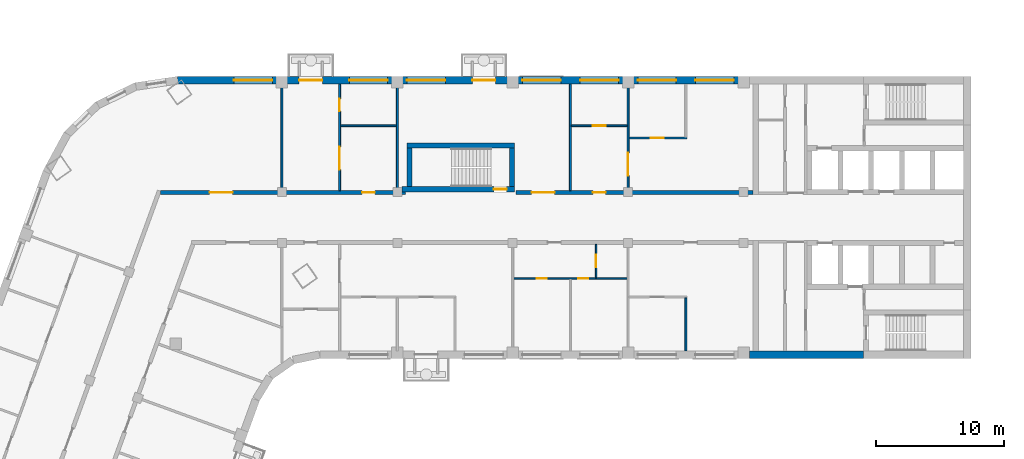
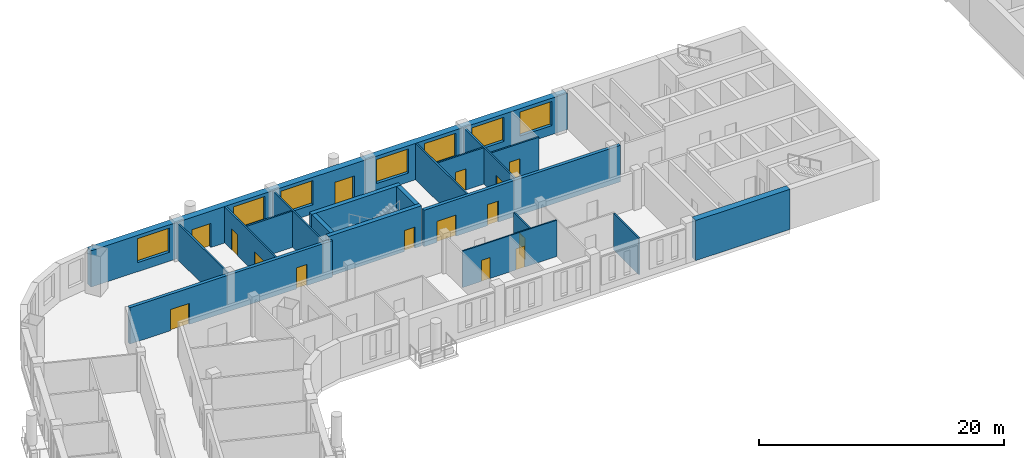
# One storey, part 5 of 16: 19 walls, 15 doors, 7 windows, 22 openings.
"""IFC4 building model written with IfcOpenShell, lengths in metres."""

import ifcopenshell
import ifcopenshell.guid

model = None  # the IFC model being written
_history = None  # IfcOwnerHistory: only IFC2X3 demands one
_inside = {}  # id of a spatial element -> (the spatial element, [elements in it])
_under = {}  # id of a project, library or spatial element -> (it, [spatial elements below it])
_declared = {}  # id of a project -> (the project, [libraries it declares])
_typed = {}  # id of a type object -> (the type object, [elements of that type])
_made_of = {}  # id of a material, layer set ... -> (it, [elements and type objects made of it])


def new_model(schema):
    """Start an empty IFC model of exactly this schema.

    Asked for "IFC4X3", IfcOpenShell would pick the latest addendum, in which some entities
    have other attributes; the version numbers below select the first issue.
    IFC2X3 requires an IfcOwnerHistory on every rooted entity: one is made here for all.
    """
    global model, _history
    if schema == "IFC4X3":
        model = ifcopenshell.file(schema_version=(4, 3, 0, 0))
    else:
        model = ifcopenshell.file(schema=schema)
    _inside.clear()
    _under.clear()
    _declared.clear()
    _typed.clear()
    _made_of.clear()
    _history = None
    if model.schema == "IFC2X3":
        org = make("IfcOrganization", Name="unknown")
        user = make(
            "IfcPersonAndOrganization",
            ThePerson=make("IfcPerson", FamilyName="unknown"),
            TheOrganization=org,
        )
        app = make(
            "IfcApplication",
            ApplicationDeveloper=org,
            Version="unknown",
            ApplicationFullName="unknown",
            ApplicationIdentifier="unknown",
        )
        _history = make(
            "IfcOwnerHistory",
            OwningUser=user,
            OwningApplication=app,
            ChangeAction="ADDED",
            CreationDate=0,
        )
    return model


def make(cls, **values):
    """One entity of the class cls with the attributes given. An attribute that is None is left unset."""
    return model.create_entity(
        cls, **{name: value for name, value in values.items() if value is not None}
    )


def rooted(cls, **values):
    """An entity with a GlobalId (a new one), such as an element, a storey or a relation."""
    return make(cls, GlobalId=ifcopenshell.guid.new(), OwnerHistory=_history, **values)


def si_unit(unit_type, name, prefix=None):
    """IfcSIUnit, for example si_unit("LENGTHUNIT", "METRE", prefix="MILLI")."""
    return make("IfcSIUnit", UnitType=unit_type, Prefix=prefix, Name=name)


def assignment(units):
    """IfcUnitAssignment: the units of a project."""
    return None if units is None else make("IfcUnitAssignment", Units=units)


def point(xyz):
    """IfcCartesianPoint."""
    return None if xyz is None else make("IfcCartesianPoint", Coordinates=xyz)


def direction(xyz):
    """IfcDirection."""
    return None if xyz is None else make("IfcDirection", DirectionRatios=xyz)


def frame(location, z_axis=None, x_axis=None):
    """IfcAxis2Placement3D, a coordinate frame: its origin and axes. An axis left out is left unset."""
    return make(
        "IfcAxis2Placement3D",
        Location=point(location),
        Axis=direction(z_axis),
        RefDirection=direction(x_axis),
    )


def frame_2d(location, x_axis=None):
    """IfcAxis2Placement2D, a coordinate frame in the plane: its origin and x axis."""
    return make(
        "IfcAxis2Placement2D", Location=point(location), RefDirection=direction(x_axis)
    )


def origin():
    """The frame at (0, 0, 0) with its axes left unset."""
    return frame((0.0, 0.0, 0.0))


def place(relative_to, where):
    """IfcLocalPlacement: puts the frame where relative to a parent placement (None: the world)."""
    return make(
        "IfcLocalPlacement", PlacementRelTo=relative_to, RelativePlacement=where
    )


def context(
    kind, dimensions, precision=None, world=None, true_north=None, identifier=None
):
    """IfcGeometricRepresentationContext, for example the 3D "Model" context."""
    return make(
        "IfcGeometricRepresentationContext",
        ContextIdentifier=identifier,
        ContextType=kind,
        CoordinateSpaceDimension=dimensions,
        Precision=precision,
        WorldCoordinateSystem=world,
        TrueNorth=true_north,
    )


def subcontext(parent, identifier, kind, view, scale=None):
    """IfcGeometricRepresentationSubContext, for example "Body" below "Model"."""
    return make(
        "IfcGeometricRepresentationSubContext",
        ContextIdentifier=identifier,
        ContextType=kind,
        ParentContext=parent,
        TargetScale=scale,
        TargetView=view,
    )


def project(units=None, contexts=None):
    """IfcProject with its units and contexts."""
    return rooted(
        "IfcProject",
        Name="project",
        RepresentationContexts=contexts,
        UnitsInContext=assignment(units),
    )


def spatial(cls, under=None, at=None, **own):
    """A site, building, storey or space (cls), placed at a placement, below another one or the project."""
    s = rooted(cls, ObjectPlacement=at, **own)
    if under is not None:
        _under.setdefault(under.id(), (under, []))[1].append(s)
    return s


def profile(cls, at=None, kind="AREA", **sizes):
    """A parametric profile (cls). Its sizes go by their IFC names, for example OverallWidth=200.0."""
    return make(cls, ProfileType=kind, Position=at, **sizes)


def rectangle(**sizes):
    """IfcRectangleProfileDef."""
    return profile("IfcRectangleProfileDef", **sizes)


def extrude(swept, where, along, depth):
    """IfcExtrudedAreaSolid: the profile swept, set in the frame where, extruded along a direction by depth."""
    return make(
        "IfcExtrudedAreaSolid",
        SweptArea=swept,
        Position=where,
        ExtrudedDirection=direction(along),
        Depth=depth,
    )


def shape(context_of_items, identifier, shape_type, items):
    """IfcShapeRepresentation: the items that make up one representation, for example the "Body"."""
    return make(
        "IfcShapeRepresentation",
        ContextOfItems=context_of_items,
        RepresentationIdentifier=identifier,
        RepresentationType=shape_type,
        Items=items,
    )


def material(Name=None, Category=None):
    """IfcMaterial."""
    return make("IfcMaterial", Name=Name, Category=Category)


def layer(
    of_material, thickness, ventilated=None, Name=None, Category=None, Priority=None
):
    """IfcMaterialLayer: one layer of a wall or slab, of a material (None: an air gap)."""
    return make(
        "IfcMaterialLayer",
        Material=of_material,
        LayerThickness=thickness,
        IsVentilated=ventilated,
        Name=Name,
        Category=Category,
        Priority=Priority,
    )


def layer_set(layers, Name=None):
    """IfcMaterialLayerSet."""
    return make("IfcMaterialLayerSet", MaterialLayers=layers, LayerSetName=Name)


def made_of(thing, what):
    """Note that an element or type object is made of a material, layer set ...; save() writes the relation."""
    if what is not None:
        _made_of.setdefault(what.id(), (what, []))[1].append(thing)
    return thing


def type_object(cls, material=None, **own):
    """A type object (cls), such as IfcWallType, which elements share."""
    return made_of(rooted(cls, **own), material)


def element(
    cls,
    number,
    at=None,
    inside=None,
    cuts=None,
    type_object=None,
    material=None,
    context=None,
    identifier="Body",
    shape_type=None,
    held_by="IfcProductDefinitionShape",
    body=None,
    shapes=None,
    **own,
):
    """One element of the class cls, such as IfcWall. Its Tag is "e" and its number.

    at: its placement. inside: the storey or other place that contains it. cuts: it is an
    opening in that element (IfcRelVoidsElement). A single representation is given by context,
    identifier, shape_type and body (its items); several are given by shapes. held_by: the class
    of the entity that holds the representations. save() writes the other relations.
    """
    e = rooted(cls, Tag="e%d" % number, ObjectPlacement=at, **own)
    if body is not None:
        shapes = [shape(context, identifier, shape_type, body)]
    if shapes is not None:
        e.Representation = make(held_by, Representations=shapes)
    if inside is not None:
        _inside.setdefault(inside.id(), (inside, []))[1].append(e)
    if cuts is not None:
        rooted(
            "IfcRelVoidsElement", RelatingBuildingElement=cuts, RelatedOpeningElement=e
        )
    if type_object is not None:
        _typed.setdefault(type_object.id(), (type_object, []))[1].append(e)
    return made_of(e, material)


def fill(opening, filler):
    """IfcRelFillsElement: the door or window that sits in an opening."""
    return rooted(
        "IfcRelFillsElement",
        RelatingOpeningElement=opening,
        RelatedBuildingElement=filler,
    )


def aggregate(whole, parts):
    """IfcRelAggregates: a whole, such as a stair, and the parts it consists of."""
    return rooted("IfcRelAggregates", RelatingObject=whole, RelatedObjects=parts)


def save(model, path):
    """Write the relations noted so far, then the file.

    IfcRelAggregates (storeys below a building ...), IfcRelContainedInSpatialStructure (elements
    in a storey), IfcRelDefinesByType, IfcRelAssociatesMaterial and IfcRelDeclares: one each for
    every whole, place, type object, material and project.
    """
    for whole, parts in _under.values():
        aggregate(whole, parts)
    for where, things in _inside.values():
        rooted(
            "IfcRelContainedInSpatialStructure",
            RelatedElements=things,
            RelatingStructure=where,
        )
    for kind, things in _typed.values():
        rooted("IfcRelDefinesByType", RelatedObjects=things, RelatingType=kind)
    for what, things in _made_of.values():
        rooted("IfcRelAssociatesMaterial", RelatedObjects=things, RelatingMaterial=what)
    for by, libraries in _declared.values():
        rooted("IfcRelDeclares", RelatingContext=by, RelatedDefinitions=libraries)
    model.write(path)


model = new_model("IFC4")

# Units and contexts
model_context = context("Model", 3, precision=1e-05, world=origin(), true_north=direction((0.0, 1.0)))
body_context = subcontext(model_context, "Body", "Model", "MODEL_VIEW")
ifc_project = project(units=[si_unit("LENGTHUNIT", "METRE"), si_unit("AREAUNIT", "SQUARE_METRE"), si_unit("VOLUMEUNIT", "CUBIC_METRE"), si_unit("PLANEANGLEUNIT", "RADIAN"), si_unit("MASSUNIT", "GRAM", prefix="KILO")], contexts=[model_context])

# Site, building, storey
site_placement = place(None, origin())
site = spatial("IfcSite", under=ifc_project, at=site_placement, CompositionType="ELEMENT")
building_placement = place(site_placement, origin())
building = spatial("IfcBuilding", under=site, at=building_placement, Name="Skarvind Civic Tower", CompositionType="ELEMENT")
storey_placement = place(building_placement, frame((0.0, 0.0, 43.5)))
storey = spatial("IfcBuildingStorey", under=building, at=storey_placement, Name="L09", CompositionType="ELEMENT", Elevation=43.5)

# Wall, openings, doors
ifc_material_1 = material(Name="Fire-rated gypsum board on steel studs", Category="steel")
ifc_layer_1 = layer(ifc_material_1, 0.300048828125)
ifc_layer_set_1 = layer_set([ifc_layer_1], Name="CORRIDOR WALL 300")
wall_type_1 = type_object("IfcWallType", Name="CORRIDOR WALL 300", PredefinedType="PARTITIONING", material=ifc_layer_set_1)
wall_1_placement = place(storey_placement, frame((44.784912109375, 129.949951171875, 0.0), z_axis=(0.0, 0.0, 1.0), x_axis=(1.0, 0.0, 0.0)))
wall_1 = element("IfcWall", 1, at=wall_1_placement, inside=storey, type_object=wall_type_1, Name="Partition 09.016", PredefinedType="PARTITIONING", context=body_context, shape_type="SweptSolid", body=[
    extrude(rectangle(XDim=19.114990234375, YDim=0.300048828125, at=frame_2d((9.5576171875, 0.0))), origin(), (0.0, 0.0, 1.0), 3.625),
])
opening_1_placement = place(wall_1_placement, frame((15.715087890625, 0.0, 0.0)))
opening_1 = element("IfcOpeningElement", 2, at=opening_1_placement, cuts=wall_1, Name="Opening L09-D006", PredefinedType="OPENING", context=body_context, shape_type="SweptSolid", body=[
    extrude(rectangle(XDim=1.0, YDim=2.10009765625, at=frame_2d((0.5, 1.050048828125))), frame((0.0, 0.159912109375, 0.0), z_axis=(0.0, -1.0, 0.0), x_axis=(1.0, 0.0, 0.0)), (0.0, 0.0, 1.0), 0.320068359375),
])
opening_2_placement = place(wall_1_placement, frame((3.822509765625, 0.0, 0.0)))
opening_2 = element("IfcOpeningElement", 3, at=opening_2_placement, cuts=wall_1, Name="Opening L09-D032", PredefinedType="OPENING", context=body_context, shape_type="SweptSolid", body=[
    extrude(rectangle(XDim=1.800048828125, YDim=2.10009765625, at=frame_2d((0.89990234375, 1.050048828125))), frame((0.0, 0.159912109375, 0.0), z_axis=(0.0, -1.0, 0.0), x_axis=(1.0, 0.0, 0.0)), (0.0, 0.0, 1.0), 0.320068359375),
])
ifc_material_2 = material(Name="Fire-rated timber door leaf", Category="wood")
door_type_1 = type_object("IfcDoorType", Name="FD1 1000x2100", OperationType="NOTDEFINED", PredefinedType="DOOR", material=ifc_material_2)
door_1_placement = place(opening_1_placement, origin())
door_1 = element("IfcDoor", 4, at=door_1_placement, inside=storey, type_object=door_type_1, Name="Door L09-D006", OperationType="SINGLE_SWING_LEFT", OverallHeight=2.10009765625, OverallWidth=1.0, PredefinedType="DOOR", context=body_context, shape_type="SweptSolid", body=[
    extrude(rectangle(XDim=1.0, YDim=2.10009765625, at=frame_2d((0.5, 1.050048828125))), frame((0.0, 0.02490234375, 0.0), z_axis=(0.0, -1.0, 0.0), x_axis=(1.0, 0.0, 0.0)), (0.0, 0.0, 1.0), 0.050048828125),
])
fill(opening_1, door_1)
door_type_2 = type_object("IfcDoorType", Name="FD4 1800x2100", OperationType="NOTDEFINED", PredefinedType="DOOR", material=ifc_material_2)
door_2_placement = place(opening_2_placement, origin())
door_2 = element("IfcDoor", 5, at=door_2_placement, inside=storey, type_object=door_type_2, Name="Door L09-D032", OperationType="DOUBLE_DOOR_SINGLE_SWING", OverallHeight=2.10009765625, OverallWidth=1.800048828125, PredefinedType="DOOR", context=body_context, shape_type="SweptSolid", body=[
    extrude(rectangle(XDim=1.800048828125, YDim=2.10009765625, at=frame_2d((0.89990234375, 1.050048828125))), frame((0.0, 0.02490234375, 0.0), z_axis=(0.0, -1.0, 0.0), x_axis=(1.0, 0.0, 0.0)), (0.0, 0.0, 1.0), 0.050048828125),
])
fill(opening_2, door_2)

wall_2_placement = place(storey_placement, frame((72.5, 129.949951171875, 0.0), z_axis=(0.0, 0.0, 1.0), x_axis=(1.0, 0.0, 0.0)))
wall_2 = element("IfcWall", 6, at=wall_2_placement, inside=storey, type_object=wall_type_1, Name="Partition 09.032", PredefinedType="PARTITIONING", context=body_context, shape_type="SweptSolid", body=[
    extrude(rectangle(XDim=18.5, YDim=0.300048828125, at=frame_2d((9.25, 0.0))), origin(), (0.0, 0.0, 1.0), 3.625),
])
opening_3_placement = place(wall_2_placement, frame((6.0, 0.0, 0.0)))
opening_3 = element("IfcOpeningElement", 7, at=opening_3_placement, cuts=wall_2, Name="Opening L09-D001", PredefinedType="OPENING", context=body_context, shape_type="SweptSolid", body=[
    extrude(rectangle(XDim=1.0, YDim=2.10009765625, at=frame_2d((0.5, 1.050048828125))), frame((0.0, 0.159912109375, 0.0), z_axis=(0.0, -1.0, 0.0), x_axis=(1.0, 0.0, 0.0)), (0.0, 0.0, 1.0), 0.320068359375),
])
opening_4_placement = place(wall_2_placement, frame((1.22509765625, 0.0, 0.0)))
opening_4 = element("IfcOpeningElement", 8, at=opening_4_placement, cuts=wall_2, Name="Opening L09-D005", PredefinedType="OPENING", context=body_context, shape_type="SweptSolid", body=[
    extrude(rectangle(XDim=1.800048828125, YDim=2.10009765625, at=frame_2d((0.89990234375, 1.050048828125))), frame((0.0, 0.159912109375, 0.0), z_axis=(0.0, -1.0, 0.0), x_axis=(1.0, 0.0, 0.0)), (0.0, 0.0, 1.0), 0.320068359375),
])
door_3_placement = place(opening_3_placement, origin())
door_3 = element("IfcDoor", 9, at=door_3_placement, inside=storey, type_object=door_type_1, Name="Door L09-D001", OperationType="SINGLE_SWING_RIGHT", OverallHeight=2.10009765625, OverallWidth=1.0, PredefinedType="DOOR", context=body_context, shape_type="SweptSolid", body=[
    extrude(rectangle(XDim=1.0, YDim=2.10009765625, at=frame_2d((0.5, 1.050048828125))), frame((0.0, 0.02490234375, 0.0), z_axis=(0.0, -1.0, 0.0), x_axis=(1.0, 0.0, 0.0)), (0.0, 0.0, 1.0), 0.050048828125),
])
fill(opening_3, door_3)
door_4_placement = place(opening_4_placement, origin())
door_4 = element("IfcDoor", 10, at=door_4_placement, inside=storey, type_object=door_type_2, Name="Door L09-D005", OperationType="DOUBLE_DOOR_SINGLE_SWING", OverallHeight=2.10009765625, OverallWidth=1.800048828125, PredefinedType="DOOR", context=body_context, shape_type="SweptSolid", body=[
    extrude(rectangle(XDim=1.800048828125, YDim=2.10009765625, at=frame_2d((0.89990234375, 1.050048828125))), frame((0.0, 0.02490234375, 0.0), z_axis=(0.0, -1.0, 0.0), x_axis=(1.0, 0.0, 0.0)), (0.0, 0.0, 1.0), 0.050048828125),
])
fill(opening_4, door_4)

# Wall, opening, door
ifc_material_3 = material(Name="Concrete C80", Category="concrete")
ifc_layer_2 = layer(ifc_material_3, 0.39990234375)
ifc_layer_set_2 = layer_set([ifc_layer_2], Name="Core wall 400 C80")
wall_type_2 = type_object("IfcWallType", Name="Core wall 400 C80", PredefinedType="SHEAR", material=ifc_layer_set_2)
wall_3_placement = place(storey_placement, frame((63.60009765625, 130.199951171875, 0.0), z_axis=(0.0, 0.0, 1.0), x_axis=(1.0, 0.0, 0.0)))
wall_3 = element("IfcWall", 11, at=wall_3_placement, inside=storey, type_object=wall_type_2, Name="Core wall CM inner L09", PredefinedType="SHEAR", context=body_context, shape_type="SweptSolid", body=[
    extrude(rectangle(XDim=8.7998046875, YDim=0.39990234375, at=frame_2d((4.39990234375, 0.0))), origin(), (0.0, 0.0, 1.0), 4.0),
])
opening_5_placement = place(wall_3_placement, frame((7.175048828125, 0.0, 0.0)))
opening_5 = element("IfcOpeningElement", 12, at=opening_5_placement, cuts=wall_3, Name="Opening D-L09-CM-01", PredefinedType="OPENING", context=body_context, shape_type="SweptSolid", body=[
    extrude(rectangle(XDim=1.0, YDim=2.10009765625, at=frame_2d((0.5, 1.050048828125))), frame((0.0, 0.2099609375, 0.0), z_axis=(0.0, -1.0, 0.0), x_axis=(1.0, 0.0, 0.0)), (0.0, 0.0, 1.0), 0.419921875),
])
ifc_material_4 = material(Name="Fire-rated steel door", Category="steel")
door_type_3 = type_object("IfcDoorType", Name="Fire door 1000", OperationType="NOTDEFINED", PredefinedType="DOOR", material=ifc_material_4)
door_5_placement = place(opening_5_placement, origin())
door_5 = element("IfcDoor", 13, at=door_5_placement, inside=storey, type_object=door_type_3, Name="Fire door", OperationType="SINGLE_SWING_LEFT", OverallHeight=2.10009765625, OverallWidth=1.0, PredefinedType="DOOR", context=body_context, shape_type="SweptSolid", body=[
    extrude(rectangle(XDim=1.0, YDim=2.10009765625, at=frame_2d((0.5, 1.050048828125))), frame((0.0, 0.02490234375, 0.0), z_axis=(0.0, -1.0, 0.0), x_axis=(1.0, 0.0, 0.0)), (0.0, 0.0, 1.0), 0.050048828125),
])
fill(opening_5, door_5)

# Walls
wall_4_placement = place(storey_placement, frame((64.0, 133.60009765625, 0.0), z_axis=(0.0, 0.0, 1.0), x_axis=(1.0, 0.0, 0.0)))
element("IfcWall", 14, at=wall_4_placement, inside=storey, type_object=wall_type_2, Name="Core wall CM outer L09", PredefinedType="SHEAR", context=body_context, shape_type="SweptSolid", body=[
    extrude(rectangle(XDim=8.39990234375, YDim=0.39990234375, at=frame_2d((4.199951171875, 0.0))), origin(), (0.0, 0.0, 1.0), 4.0),
])
for number, where, z_axis, x_axis, name in (
    (15, (64.199951171875, 130.39990234375, 0.0), (0.0, 0.0, 1.0), (0.0, 1.0, 0.0), "Core wall CM west L09"),
    (16, (72.199951171875, 130.39990234375, 0.0), (0.0, 0.0, 1.0), (0.0, 1.0, 0.0), "Core wall CM end L09"),
):
    element("IfcWall", number, at=place(storey_placement, frame(where, z_axis=z_axis, x_axis=x_axis)), inside=storey, type_object=wall_type_2, Name=name, PredefinedType="SHEAR", context=body_context, shape_type="SweptSolid", body=[
        extrude(rectangle(XDim=3.0, YDim=0.39990234375, at=frame_2d((1.5, 0.0))), origin(), (0.0, 0.0, 1.0), 4.0),
    ])
ifc_layer_3 = layer(ifc_material_3, 0.60009765625)
ifc_layer_set_3 = layer_set([ifc_layer_3], Name="Core wall 600 C80")
wall_type_3 = type_object("IfcWallType", Name="Core wall 600 C80", PredefinedType="SHEAR", material=ifc_layer_set_3)
wall_5_placement = place(storey_placement, frame((99.60009765625, 117.300048828125, 0.0), z_axis=(0.0, 0.0, 1.0), x_axis=(-1.0, 0.0, 0.0)))
element("IfcWall", 17, at=wall_5_placement, inside=storey, type_object=wall_type_3, Name="Core wall C1 north side L09", PredefinedType="SHEAR", context=body_context, shape_type="SweptSolid", body=[
    extrude(rectangle(XDim=8.900146484375, YDim=0.60009765625, at=frame_2d((4.4501953125, 0.0))), origin(), (0.0, 0.0, 1.0), 4.0),
])
ifc_material_5 = material(Name="Plasterboard partition on steel studs", Category="steel")
ifc_layer_4 = layer(ifc_material_5, 0.14990234375)
ifc_layer_set_4 = layer_set([ifc_layer_4], Name="PARTITION 150")
wall_type_4 = type_object("IfcWallType", Name="PARTITION 150", PredefinedType="PARTITIONING", material=ifc_layer_set_4)
wall_6_placement = place(storey_placement, frame((54.25, 138.39990234375, 0.0), z_axis=(0.0, 0.0, 1.0), x_axis=(0.0, -1.0, 0.0)))
element("IfcWall", 18, at=wall_6_placement, inside=storey, type_object=wall_type_4, Name="Partition 09.022", PredefinedType="PARTITIONING", context=body_context, shape_type="SweptSolid", body=[
    extrude(rectangle(XDim=8.2998046875, YDim=0.14990234375, at=frame_2d((4.14990234375, 0.0))), origin(), (0.0, 0.0, 1.0), 3.625),
])

# Wall, openings, doors
wall_7_placement = place(storey_placement, frame((58.75, 130.10009765625, 0.0), z_axis=(0.0, 0.0, 1.0), x_axis=(0.0, 1.0, 0.0)))
wall_7 = element("IfcWall", 19, at=wall_7_placement, inside=storey, type_object=wall_type_4, Name="Partition 09.025", PredefinedType="PARTITIONING", context=body_context, shape_type="SweptSolid", body=[
    extrude(rectangle(XDim=8.2998046875, YDim=0.14990234375, at=frame_2d((4.14990234375, 0.0))), origin(), (0.0, 0.0, 1.0), 3.625),
])
opening_6_placement = place(wall_7_placement, frame((6.175048828125, 0.0, 0.0)))
opening_6 = element("IfcOpeningElement", 20, at=opening_6_placement, cuts=wall_7, Name="Opening L09-D007", PredefinedType="OPENING", context=body_context, shape_type="SweptSolid", body=[
    extrude(rectangle(XDim=1.0, YDim=2.10009765625, at=frame_2d((0.5, 1.050048828125))), frame((0.0, 0.0849609375, 0.0), z_axis=(0.0, -1.0, 0.0), x_axis=(1.0, 0.0, 0.0)), (0.0, 0.0, 1.0), 0.169921875),
])
opening_7_placement = place(wall_7_placement, frame((1.616455078125, 0.0, 0.0)))
opening_7 = element("IfcOpeningElement", 21, at=opening_7_placement, cuts=wall_7, Name="Opening L09-D008", PredefinedType="OPENING", context=body_context, shape_type="SweptSolid", body=[
    extrude(rectangle(XDim=1.800048828125, YDim=2.10009765625, at=frame_2d((0.89990234375, 1.050048828125))), frame((0.0, 0.0849609375, 0.0), z_axis=(0.0, -1.0, 0.0), x_axis=(1.0, 0.0, 0.0)), (0.0, 0.0, 1.0), 0.169921875),
])
ifc_material_6 = material(Name="Timber door leaf", Category="wood")
door_type_4 = type_object("IfcDoorType", Name="D1 1000x2100", OperationType="NOTDEFINED", PredefinedType="DOOR", material=ifc_material_6)
door_6_placement = place(opening_6_placement, origin())
door_6 = element("IfcDoor", 22, at=door_6_placement, inside=storey, type_object=door_type_4, Name="Door L09-D007", OperationType="SINGLE_SWING_RIGHT", OverallHeight=2.10009765625, OverallWidth=1.0, PredefinedType="DOOR", context=body_context, shape_type="SweptSolid", body=[
    extrude(rectangle(XDim=1.0, YDim=2.10009765625, at=frame_2d((0.5, 1.050048828125))), frame((0.0, 0.02490234375, 0.0), z_axis=(0.0, -1.0, 0.0), x_axis=(1.0, 0.0, 0.0)), (0.0, 0.0, 1.0), 0.050048828125),
])
fill(opening_6, door_6)
door_type_5 = type_object("IfcDoorType", Name="D4 1800x2100", OperationType="NOTDEFINED", PredefinedType="DOOR", material=ifc_material_6)
door_7_placement = place(opening_7_placement, origin())
door_7 = element("IfcDoor", 23, at=door_7_placement, inside=storey, type_object=door_type_5, Name="Door L09-D008", OperationType="DOUBLE_DOOR_SINGLE_SWING", OverallHeight=2.10009765625, OverallWidth=1.800048828125, PredefinedType="DOOR", context=body_context, shape_type="SweptSolid", body=[
    extrude(rectangle(XDim=1.800048828125, YDim=2.10009765625, at=frame_2d((0.89990234375, 1.050048828125))), frame((0.0, 0.02490234375, 0.0), z_axis=(0.0, -1.0, 0.0), x_axis=(1.0, 0.0, 0.0)), (0.0, 0.0, 1.0), 0.050048828125),
])
fill(opening_7, door_7)

# Walls
wall_8_placement = place(storey_placement, frame((63.25, 130.10009765625, 0.0), z_axis=(0.0, 0.0, 1.0), x_axis=(0.0, 1.0, 0.0)))
element("IfcWall", 24, at=wall_8_placement, inside=storey, type_object=wall_type_4, Name="Partition 09.027", PredefinedType="PARTITIONING", context=body_context, shape_type="SweptSolid", body=[
    extrude(rectangle(XDim=8.2998046875, YDim=0.14990234375, at=frame_2d((4.14990234375, 0.0))), origin(), (0.0, 0.0, 1.0), 3.625),
])
wall_9_placement = place(storey_placement, frame((63.175048828125, 135.14990234375, 0.0), z_axis=(0.0, 0.0, 1.0), x_axis=(-1.0, 0.0, 0.0)))
element("IfcWall", 25, at=wall_9_placement, inside=storey, type_object=wall_type_4, Name="Partition 09.028", PredefinedType="PARTITIONING", context=body_context, shape_type="SweptSolid", body=[
    extrude(rectangle(XDim=4.35009765625, YDim=0.14990234375, at=frame_2d((2.175048828125, 0.0))), origin(), (0.0, 0.0, 1.0), 3.625),
])
wall_10_placement = place(storey_placement, frame((76.75, 130.10009765625, 0.0), z_axis=(0.0, 0.0, 1.0), x_axis=(0.0, 1.0, 0.0)))
element("IfcWall", 26, at=wall_10_placement, inside=storey, type_object=wall_type_4, Name="Partition 09.034", PredefinedType="PARTITIONING", context=body_context, shape_type="SweptSolid", body=[
    extrude(rectangle(XDim=8.2998046875, YDim=0.14990234375, at=frame_2d((4.14990234375, 0.0))), origin(), (0.0, 0.0, 1.0), 3.625),
])

# Wall, opening, door
wall_11_placement = place(storey_placement, frame((81.25, 130.10009765625, 0.0), z_axis=(0.0, 0.0, 1.0), x_axis=(0.0, 1.0, 0.0)))
wall_11 = element("IfcWall", 27, at=wall_11_placement, inside=storey, type_object=wall_type_4, Name="Partition 09.037", PredefinedType="PARTITIONING", context=body_context, shape_type="SweptSolid", body=[
    extrude(rectangle(XDim=8.2998046875, YDim=0.14990234375, at=frame_2d((4.14990234375, 0.0))), origin(), (0.0, 0.0, 1.0), 3.625),
])
opening_8_placement = place(wall_11_placement, frame((1.139892578125, 0.0, 0.0)))
opening_8 = element("IfcOpeningElement", 28, at=opening_8_placement, cuts=wall_11, Name="Opening L09-D004", PredefinedType="OPENING", context=body_context, shape_type="SweptSolid", body=[
    extrude(rectangle(XDim=1.800048828125, YDim=2.10009765625, at=frame_2d((0.89990234375, 1.050048828125))), frame((0.0, 0.0849609375, 0.0), z_axis=(0.0, -1.0, 0.0), x_axis=(1.0, 0.0, 0.0)), (0.0, 0.0, 1.0), 0.169921875),
])
door_8_placement = place(opening_8_placement, origin())
door_8 = element("IfcDoor", 29, at=door_8_placement, inside=storey, type_object=door_type_5, Name="Door L09-D004", OperationType="DOUBLE_DOOR_SINGLE_SWING", OverallHeight=2.10009765625, OverallWidth=1.800048828125, PredefinedType="DOOR", context=body_context, shape_type="SweptSolid", body=[
    extrude(rectangle(XDim=1.800048828125, YDim=2.10009765625, at=frame_2d((0.89990234375, 1.050048828125))), frame((0.0, 0.02490234375, 0.0), z_axis=(0.0, -1.0, 0.0), x_axis=(1.0, 0.0, 0.0)), (0.0, 0.0, 1.0), 0.050048828125),
])
fill(opening_8, door_8)

wall_12_placement = place(storey_placement, frame((85.824951171875, 134.199951171875, 0.0), z_axis=(0.0, 0.0, 1.0), x_axis=(-1.0, 0.0, 0.0)))
wall_12 = element("IfcWall", 30, at=wall_12_placement, inside=storey, type_object=wall_type_4, Name="Partition 09.038", PredefinedType="PARTITIONING", context=body_context, shape_type="SweptSolid", body=[
    extrude(rectangle(XDim=4.5, YDim=0.14990234375, at=frame_2d((2.25, 0.0))), origin(), (0.0, 0.0, 1.0), 3.625),
])
opening_9_placement = place(wall_12_placement, frame((1.797607421875, 0.0, 0.0)))
opening_9 = element("IfcOpeningElement", 31, at=opening_9_placement, cuts=wall_12, Name="Opening L09-D002", PredefinedType="OPENING", context=body_context, shape_type="SweptSolid", body=[
    extrude(rectangle(XDim=1.0, YDim=2.10009765625, at=frame_2d((0.5, 1.050048828125))), frame((0.0, 0.0849609375, 0.0), z_axis=(0.0, -1.0, 0.0), x_axis=(1.0, 0.0, 0.0)), (0.0, 0.0, 1.0), 0.169921875),
])
door_9_placement = place(opening_9_placement, origin())
door_9 = element("IfcDoor", 32, at=door_9_placement, inside=storey, type_object=door_type_4, Name="Door L09-D002", OperationType="SINGLE_SWING_LEFT", OverallHeight=2.10009765625, OverallWidth=1.0, PredefinedType="DOOR", context=body_context, shape_type="SweptSolid", body=[
    extrude(rectangle(XDim=1.0, YDim=2.10009765625, at=frame_2d((0.5, 1.050048828125))), frame((0.0, 0.02490234375, 0.0), z_axis=(0.0, -1.0, 0.0), x_axis=(1.0, 0.0, 0.0)), (0.0, 0.0, 1.0), 0.050048828125),
])
fill(opening_9, door_9)

wall_13_placement = place(storey_placement, frame((81.175048828125, 135.14990234375, 0.0), z_axis=(0.0, 0.0, 1.0), x_axis=(-1.0, 0.0, 0.0)))
wall_13 = element("IfcWall", 33, at=wall_13_placement, inside=storey, type_object=wall_type_4, Name="Partition 09.039", PredefinedType="PARTITIONING", context=body_context, shape_type="SweptSolid", body=[
    extrude(rectangle(XDim=4.35009765625, YDim=0.14990234375, at=frame_2d((2.175048828125, 0.0))), origin(), (0.0, 0.0, 1.0), 3.625),
])
opening_10_placement = place(wall_13_placement, frame((1.675048828125, 0.0, 0.0)))
opening_10 = element("IfcOpeningElement", 34, at=opening_10_placement, cuts=wall_13, Name="Opening L09-D003", PredefinedType="OPENING", context=body_context, shape_type="SweptSolid", body=[
    extrude(rectangle(XDim=1.0, YDim=2.10009765625, at=frame_2d((0.5, 1.050048828125))), frame((0.0, 0.0849609375, 0.0), z_axis=(0.0, -1.0, 0.0), x_axis=(1.0, 0.0, 0.0)), (0.0, 0.0, 1.0), 0.169921875),
])
door_10_placement = place(opening_10_placement, origin())
door_10 = element("IfcDoor", 35, at=door_10_placement, inside=storey, type_object=door_type_4, Name="Door L09-D003", OperationType="SINGLE_SWING_LEFT", OverallHeight=2.10009765625, OverallWidth=1.0, PredefinedType="DOOR", context=body_context, shape_type="SweptSolid", body=[
    extrude(rectangle(XDim=1.0, YDim=2.10009765625, at=frame_2d((0.5, 1.050048828125))), frame((0.0, 0.02490234375, 0.0), z_axis=(0.0, -1.0, 0.0), x_axis=(1.0, 0.0, 0.0)), (0.0, 0.0, 1.0), 0.050048828125),
])
fill(opening_10, door_10)

# Wall
wall_14_placement = place(storey_placement, frame((85.75, 117.60009765625, 0.0), z_axis=(0.0, 0.0, 1.0), x_axis=(0.0, 1.0, 0.0)))
element("IfcWall", 36, at=wall_14_placement, inside=storey, type_object=wall_type_4, Name="Partition 09.040", PredefinedType="PARTITIONING", context=body_context, shape_type="SweptSolid", body=[
    extrude(rectangle(XDim=4.125, YDim=0.14990234375, at=frame_2d((2.0625, 0.0))), origin(), (0.0, 0.0, 1.0), 3.625),
])

# Wall, openings, doors
ifc_material_7 = material(Name="Moisture-resistant gypsum board on steel studs", Category="steel")
ifc_layer_5 = layer(ifc_material_7, 0.125)
ifc_layer_set_5 = layer_set([ifc_layer_5], Name="WC PARTITION 125")
wall_type_5 = type_object("IfcWallType", Name="WC PARTITION 125", PredefinedType="PARTITIONING", material=ifc_layer_set_5)
wall_15_placement = place(storey_placement, frame((81.18798828125, 123.25, 0.0), z_axis=(0.0, 0.0, 1.0), x_axis=(-1.0, 0.0, 0.0)))
wall_15 = element("IfcWall", 37, at=wall_15_placement, inside=storey, type_object=wall_type_5, Name="Partition 09.031", PredefinedType="PARTITIONING", context=body_context, shape_type="SweptSolid", body=[
    extrude(rectangle(XDim=8.8759765625, YDim=0.125, at=frame_2d((4.43798828125, 0.0))), origin(), (0.0, 0.0, 1.0), 3.625),
])
opening_11_placement = place(wall_15_placement, frame((6.26708984375, 0.0, 0.0)))
opening_11 = element("IfcOpeningElement", 38, at=opening_11_placement, cuts=wall_15, Name="Opening L09-D013", PredefinedType="OPENING", context=body_context, shape_type="SweptSolid", body=[
    extrude(rectangle(XDim=0.800048828125, YDim=2.10009765625, at=frame_2d((0.39990234375, 1.050048828125))), frame((0.0, 0.072509765625, 0.0), z_axis=(0.0, -1.0, 0.0), x_axis=(1.0, 0.0, 0.0)), (0.0, 0.0, 1.0), 0.14501953125),
])
opening_12_placement = place(wall_15_placement, frame((3.03662109375, 0.0, 0.0)))
opening_12 = element("IfcOpeningElement", 39, at=opening_12_placement, cuts=wall_15, Name="Opening L09-D014", PredefinedType="OPENING", context=body_context, shape_type="SweptSolid", body=[
    extrude(rectangle(XDim=0.800048828125, YDim=2.10009765625, at=frame_2d((0.39990234375, 1.050048828125))), frame((0.0, 0.072509765625, 0.0), z_axis=(0.0, -1.0, 0.0), x_axis=(1.0, 0.0, 0.0)), (0.0, 0.0, 1.0), 0.14501953125),
])
door_type_6 = type_object("IfcDoorType", Name="DOOR 800X2100 TIMBER", OperationType="NOTDEFINED", PredefinedType="DOOR", material=ifc_material_6)
door_11_placement = place(opening_11_placement, origin())
door_11 = element("IfcDoor", 40, at=door_11_placement, inside=storey, type_object=door_type_6, Name="Door L09-D013", OperationType="SINGLE_SWING_RIGHT", OverallHeight=2.10009765625, OverallWidth=0.800048828125, PredefinedType="DOOR", context=body_context, shape_type="SweptSolid", body=[
    extrude(rectangle(XDim=0.800048828125, YDim=2.10009765625, at=frame_2d((0.39990234375, 1.050048828125))), frame((0.0, 0.02490234375, 0.0), z_axis=(0.0, -1.0, 0.0), x_axis=(1.0, 0.0, 0.0)), (0.0, 0.0, 1.0), 0.050048828125),
])
fill(opening_11, door_11)
door_12_placement = place(opening_12_placement, origin())
door_12 = element("IfcDoor", 41, at=door_12_placement, inside=storey, type_object=door_type_6, Name="Door L09-D014", OperationType="SINGLE_SWING_LEFT", OverallHeight=2.10009765625, OverallWidth=0.800048828125, PredefinedType="DOOR", context=body_context, shape_type="SweptSolid", body=[
    extrude(rectangle(XDim=0.800048828125, YDim=2.10009765625, at=frame_2d((0.39990234375, 1.050048828125))), frame((0.0, 0.02490234375, 0.0), z_axis=(0.0, -1.0, 0.0), x_axis=(1.0, 0.0, 0.0)), (0.0, 0.0, 1.0), 0.050048828125),
])
fill(opening_12, door_12)

# Wall, opening, door
wall_16_placement = place(storey_placement, frame((78.75, 125.89990234375, 0.0), z_axis=(0.0, 0.0, 1.0), x_axis=(0.0, -1.0, 0.0)))
wall_16 = element("IfcWall", 42, at=wall_16_placement, inside=storey, type_object=wall_type_5, Name="Partition 09.035", PredefinedType="PARTITIONING", context=body_context, shape_type="SweptSolid", body=[
    extrude(rectangle(XDim=2.587890625, YDim=0.125, at=frame_2d((1.2939453125, 0.0))), origin(), (0.0, 0.0, 1.0), 3.625),
])
opening_13_placement = place(wall_16_placement, frame((0.7939453125, 0.0, 0.0)))
opening_13 = element("IfcOpeningElement", 43, at=opening_13_placement, cuts=wall_16, Name="Opening L09-D012", PredefinedType="OPENING", context=body_context, shape_type="SweptSolid", body=[
    extrude(rectangle(XDim=1.0, YDim=2.10009765625, at=frame_2d((0.5, 1.050048828125))), frame((0.0, 0.072509765625, 0.0), z_axis=(0.0, -1.0, 0.0), x_axis=(1.0, 0.0, 0.0)), (0.0, 0.0, 1.0), 0.14501953125),
])
door_13_placement = place(opening_13_placement, origin())
door_13 = element("IfcDoor", 44, at=door_13_placement, inside=storey, type_object=door_type_4, Name="Door L09-D012", OperationType="SINGLE_SWING_RIGHT", OverallHeight=2.10009765625, OverallWidth=1.0, PredefinedType="DOOR", context=body_context, shape_type="SweptSolid", body=[
    extrude(rectangle(XDim=1.0, YDim=2.10009765625, at=frame_2d((0.5, 1.050048828125))), frame((0.0, 0.02490234375, 0.0), z_axis=(0.0, -1.0, 0.0), x_axis=(1.0, 0.0, 0.0)), (0.0, 0.0, 1.0), 0.050048828125),
])
fill(opening_13, door_13)

# Wall, openings, doors, windows
ifc_material_8 = material(Name="Limestone masonry cladding on insulated backing", Category="masonry")
ifc_layer_6 = layer(ifc_material_8, 0.60009765625)
ifc_layer_set_6 = layer_set([ifc_layer_6], Name="WX1 STONE FACADE WALL 600")
wall_type_6 = type_object("IfcWallType", Name="WX1 STONE FACADE WALL 600", PredefinedType="SOLIDWALL", material=ifc_layer_set_6)
wall_17_placement = place(storey_placement, frame((46.095458984375, 138.699951171875, 0.0), z_axis=(0.0, 0.0, 1.0), x_axis=(1.0, 0.0, 0.0)))
wall_17 = element("IfcWall", 45, at=wall_17_placement, inside=storey, type_object=wall_type_6, Name="STONE FACADE WALL", PredefinedType="SOLIDWALL", context=body_context, shape_type="SweptSolid", body=[
    extrude(rectangle(XDim=44.884521484375, YDim=0.60009765625, at=frame_2d((22.4423828125, 0.0))), origin(), (0.0, 0.0, 1.0), 3.625),
])
opening_14_placement = place(wall_17_placement, frame((4.404541015625, 0.0, 0.89990234375)))
opening_14 = element("IfcOpeningElement", 46, at=opening_14_placement, cuts=wall_17, Name="Opening WN1", PredefinedType="OPENING", context=body_context, shape_type="SweptSolid", body=[
    extrude(rectangle(XDim=3.0, YDim=2.39990234375, at=frame_2d((1.5, 1.199951171875))), frame((0.0, 0.31005859375, 0.0), z_axis=(0.0, -1.0, 0.0), x_axis=(1.0, 0.0, 0.0)), (0.0, 0.0, 1.0), 0.6201171875),
])
opening_15_placement = place(wall_17_placement, frame((9.50439453125, 0.0, 0.0)))
opening_15 = element("IfcOpeningElement", 47, at=opening_15_placement, cuts=wall_17, Name="Opening DX3", PredefinedType="OPENING", context=body_context, shape_type="SweptSolid", body=[
    extrude(rectangle(XDim=1.800048828125, YDim=2.39990234375, at=frame_2d((0.89990234375, 1.199951171875))), frame((0.0, 0.31005859375, 0.0), z_axis=(0.0, -1.0, 0.0), x_axis=(1.0, 0.0, 0.0)), (0.0, 0.0, 1.0), 0.6201171875),
])
opening_16_placement = place(wall_17_placement, frame((13.404541015625, 0.0, 0.89990234375)))
opening_16 = element("IfcOpeningElement", 48, at=opening_16_placement, cuts=wall_17, Name="Opening WN1", PredefinedType="OPENING", context=body_context, shape_type="SweptSolid", body=[
    extrude(rectangle(XDim=3.0, YDim=2.39990234375, at=frame_2d((1.5, 1.199951171875))), frame((0.0, 0.31005859375, 0.0), z_axis=(0.0, -1.0, 0.0), x_axis=(1.0, 0.0, 0.0)), (0.0, 0.0, 1.0), 0.6201171875),
])
opening_17_placement = place(wall_17_placement, frame((17.904541015625, 0.0, 0.89990234375)))
opening_17 = element("IfcOpeningElement", 49, at=opening_17_placement, cuts=wall_17, Name="Opening WN1", PredefinedType="OPENING", context=body_context, shape_type="SweptSolid", body=[
    extrude(rectangle(XDim=3.0, YDim=2.39990234375, at=frame_2d((1.5, 1.199951171875))), frame((0.0, 0.31005859375, 0.0), z_axis=(0.0, -1.0, 0.0), x_axis=(1.0, 0.0, 0.0)), (0.0, 0.0, 1.0), 0.6201171875),
])
opening_18_placement = place(wall_17_placement, frame((23.00439453125, 0.0, 0.0)))
opening_18 = element("IfcOpeningElement", 50, at=opening_18_placement, cuts=wall_17, Name="Opening DX3", PredefinedType="OPENING", context=body_context, shape_type="SweptSolid", body=[
    extrude(rectangle(XDim=1.800048828125, YDim=2.39990234375, at=frame_2d((0.89990234375, 1.199951171875))), frame((0.0, 0.31005859375, 0.0), z_axis=(0.0, -1.0, 0.0), x_axis=(1.0, 0.0, 0.0)), (0.0, 0.0, 1.0), 0.6201171875),
])
opening_19_placement = place(wall_17_placement, frame((26.904541015625, 0.0, 0.89990234375)))
opening_19 = element("IfcOpeningElement", 51, at=opening_19_placement, cuts=wall_17, Name="Opening WN1", PredefinedType="OPENING", context=body_context, shape_type="SweptSolid", body=[
    extrude(rectangle(XDim=3.0, YDim=2.39990234375, at=frame_2d((1.5, 1.199951171875))), frame((0.0, 0.31005859375, 0.0), z_axis=(0.0, -1.0, 0.0), x_axis=(1.0, 0.0, 0.0)), (0.0, 0.0, 1.0), 0.6201171875),
])
opening_20_placement = place(wall_17_placement, frame((31.404541015625, 0.0, 0.89990234375)))
opening_20 = element("IfcOpeningElement", 52, at=opening_20_placement, cuts=wall_17, Name="Opening WN1", PredefinedType="OPENING", context=body_context, shape_type="SweptSolid", body=[
    extrude(rectangle(XDim=3.0, YDim=2.39990234375, at=frame_2d((1.5, 1.199951171875))), frame((0.0, 0.31005859375, 0.0), z_axis=(0.0, -1.0, 0.0), x_axis=(1.0, 0.0, 0.0)), (0.0, 0.0, 1.0), 0.6201171875),
])
opening_21_placement = place(wall_17_placement, frame((35.904541015625, 0.0, 0.89990234375)))
opening_21 = element("IfcOpeningElement", 53, at=opening_21_placement, cuts=wall_17, Name="Opening WN1", PredefinedType="OPENING", context=body_context, shape_type="SweptSolid", body=[
    extrude(rectangle(XDim=3.0, YDim=2.39990234375, at=frame_2d((1.5, 1.199951171875))), frame((0.0, 0.31005859375, 0.0), z_axis=(0.0, -1.0, 0.0), x_axis=(1.0, 0.0, 0.0)), (0.0, 0.0, 1.0), 0.6201171875),
])
opening_22_placement = place(wall_17_placement, frame((40.404541015625, 0.0, 0.89990234375)))
opening_22 = element("IfcOpeningElement", 54, at=opening_22_placement, cuts=wall_17, Name="Opening WN1", PredefinedType="OPENING", context=body_context, shape_type="SweptSolid", body=[
    extrude(rectangle(XDim=3.0, YDim=2.39990234375, at=frame_2d((1.5, 1.199951171875))), frame((0.0, 0.31005859375, 0.0), z_axis=(0.0, -1.0, 0.0), x_axis=(1.0, 0.0, 0.0)), (0.0, 0.0, 1.0), 0.6201171875),
])
ifc_material_9 = material(Name="Timber and glass doorset", Category="wood")
door_type_7 = type_object("IfcDoorType", Name="DX3 TERRACE DOORS 1800 x 2400", OperationType="NOTDEFINED", PredefinedType="DOOR", material=ifc_material_9)
door_14_placement = place(opening_15_placement, origin())
door_14 = element("IfcDoor", 55, at=door_14_placement, inside=storey, type_object=door_type_7, Name="TERRACE DOORS", OperationType="DOUBLE_DOOR_SINGLE_SWING", OverallHeight=2.39990234375, OverallWidth=1.800048828125, PredefinedType="DOOR", context=body_context, shape_type="SweptSolid", body=[
    extrude(rectangle(XDim=1.800048828125, YDim=2.39990234375, at=frame_2d((0.89990234375, 1.199951171875))), frame((0.0, 0.02490234375, 0.0), z_axis=(0.0, -1.0, 0.0), x_axis=(1.0, 0.0, 0.0)), (0.0, 0.0, 1.0), 0.050048828125),
])
fill(opening_15, door_14)
door_15_placement = place(opening_18_placement, origin())
door_15 = element("IfcDoor", 56, at=door_15_placement, inside=storey, type_object=door_type_7, Name="TERRACE DOORS", OperationType="DOUBLE_DOOR_SINGLE_SWING", OverallHeight=2.39990234375, OverallWidth=1.800048828125, PredefinedType="DOOR", context=body_context, shape_type="SweptSolid", body=[
    extrude(rectangle(XDim=1.800048828125, YDim=2.39990234375, at=frame_2d((0.89990234375, 1.199951171875))), frame((0.0, 0.02490234375, 0.0), z_axis=(0.0, -1.0, 0.0), x_axis=(1.0, 0.0, 0.0)), (0.0, 0.0, 1.0), 0.050048828125),
])
fill(opening_18, door_15)
ifc_material_10 = material(Name="Timber frame, double glazing, timber-lined reveal", Category="wood")
window_type = type_object("IfcWindowType", Name="WN1 PUNCHED STONE WINDOW 3000 x 2400", PartitioningType="SINGLE_PANEL", PredefinedType="WINDOW", material=ifc_material_10)
window_1_placement = place(opening_14_placement, origin())
window_1 = element("IfcWindow", 57, at=window_1_placement, inside=storey, type_object=window_type, Name="WN1 WINDOW", OverallHeight=2.39990234375, OverallWidth=3.0, PartitioningType="SINGLE_PANEL", PredefinedType="WINDOW", context=body_context, shape_type="SweptSolid", body=[
    extrude(rectangle(XDim=3.0, YDim=2.39990234375, at=frame_2d((1.5, 1.199951171875))), frame((0.0, 0.030029296875, 0.0), z_axis=(0.0, -1.0, 0.0), x_axis=(1.0, 0.0, 0.0)), (0.0, 0.0, 1.0), 0.06005859375),
])
fill(opening_14, window_1)
window_2_placement = place(opening_16_placement, origin())
window_2 = element("IfcWindow", 58, at=window_2_placement, inside=storey, type_object=window_type, Name="WN1 WINDOW", OverallHeight=2.39990234375, OverallWidth=3.0, PartitioningType="SINGLE_PANEL", PredefinedType="WINDOW", context=body_context, shape_type="SweptSolid", body=[
    extrude(rectangle(XDim=3.0, YDim=2.39990234375, at=frame_2d((1.5, 1.199951171875))), frame((0.0, 0.030029296875, 0.0), z_axis=(0.0, -1.0, 0.0), x_axis=(1.0, 0.0, 0.0)), (0.0, 0.0, 1.0), 0.06005859375),
])
fill(opening_16, window_2)
window_3_placement = place(opening_17_placement, origin())
window_3 = element("IfcWindow", 59, at=window_3_placement, inside=storey, type_object=window_type, Name="WN1 WINDOW", OverallHeight=2.39990234375, OverallWidth=3.0, PartitioningType="SINGLE_PANEL", PredefinedType="WINDOW", context=body_context, shape_type="SweptSolid", body=[
    extrude(rectangle(XDim=3.0, YDim=2.39990234375, at=frame_2d((1.5, 1.199951171875))), frame((0.0, 0.030029296875, 0.0), z_axis=(0.0, -1.0, 0.0), x_axis=(1.0, 0.0, 0.0)), (0.0, 0.0, 1.0), 0.06005859375),
])
fill(opening_17, window_3)
window_4_placement = place(opening_19_placement, origin())
window_4 = element("IfcWindow", 60, at=window_4_placement, inside=storey, type_object=window_type, Name="WN1 WINDOW", OverallHeight=2.39990234375, OverallWidth=3.0, PartitioningType="SINGLE_PANEL", PredefinedType="WINDOW", context=body_context, shape_type="SweptSolid", body=[
    extrude(rectangle(XDim=3.0, YDim=2.39990234375, at=frame_2d((1.5, 1.199951171875))), frame((0.0, 0.030029296875, 0.0), z_axis=(0.0, -1.0, 0.0), x_axis=(1.0, 0.0, 0.0)), (0.0, 0.0, 1.0), 0.06005859375),
])
fill(opening_19, window_4)
window_5_placement = place(opening_20_placement, origin())
window_5 = element("IfcWindow", 61, at=window_5_placement, inside=storey, type_object=window_type, Name="WN1 WINDOW", OverallHeight=2.39990234375, OverallWidth=3.0, PartitioningType="SINGLE_PANEL", PredefinedType="WINDOW", context=body_context, shape_type="SweptSolid", body=[
    extrude(rectangle(XDim=3.0, YDim=2.39990234375, at=frame_2d((1.5, 1.199951171875))), frame((0.0, 0.030029296875, 0.0), z_axis=(0.0, -1.0, 0.0), x_axis=(1.0, 0.0, 0.0)), (0.0, 0.0, 1.0), 0.06005859375),
])
fill(opening_20, window_5)
window_6_placement = place(opening_21_placement, origin())
window_6 = element("IfcWindow", 62, at=window_6_placement, inside=storey, type_object=window_type, Name="WN1 WINDOW", OverallHeight=2.39990234375, OverallWidth=3.0, PartitioningType="SINGLE_PANEL", PredefinedType="WINDOW", context=body_context, shape_type="SweptSolid", body=[
    extrude(rectangle(XDim=3.0, YDim=2.39990234375, at=frame_2d((1.5, 1.199951171875))), frame((0.0, 0.030029296875, 0.0), z_axis=(0.0, -1.0, 0.0), x_axis=(1.0, 0.0, 0.0)), (0.0, 0.0, 1.0), 0.06005859375),
])
fill(opening_21, window_6)
window_7_placement = place(opening_22_placement, origin())
window_7 = element("IfcWindow", 63, at=window_7_placement, inside=storey, type_object=window_type, Name="WN1 WINDOW", OverallHeight=2.39990234375, OverallWidth=3.0, PartitioningType="SINGLE_PANEL", PredefinedType="WINDOW", context=body_context, shape_type="SweptSolid", body=[
    extrude(rectangle(XDim=3.0, YDim=2.39990234375, at=frame_2d((1.5, 1.199951171875))), frame((0.0, 0.030029296875, 0.0), z_axis=(0.0, -1.0, 0.0), x_axis=(1.0, 0.0, 0.0)), (0.0, 0.0, 1.0), 0.06005859375),
])
fill(opening_22, window_7)

save(model, "model.ifc")
